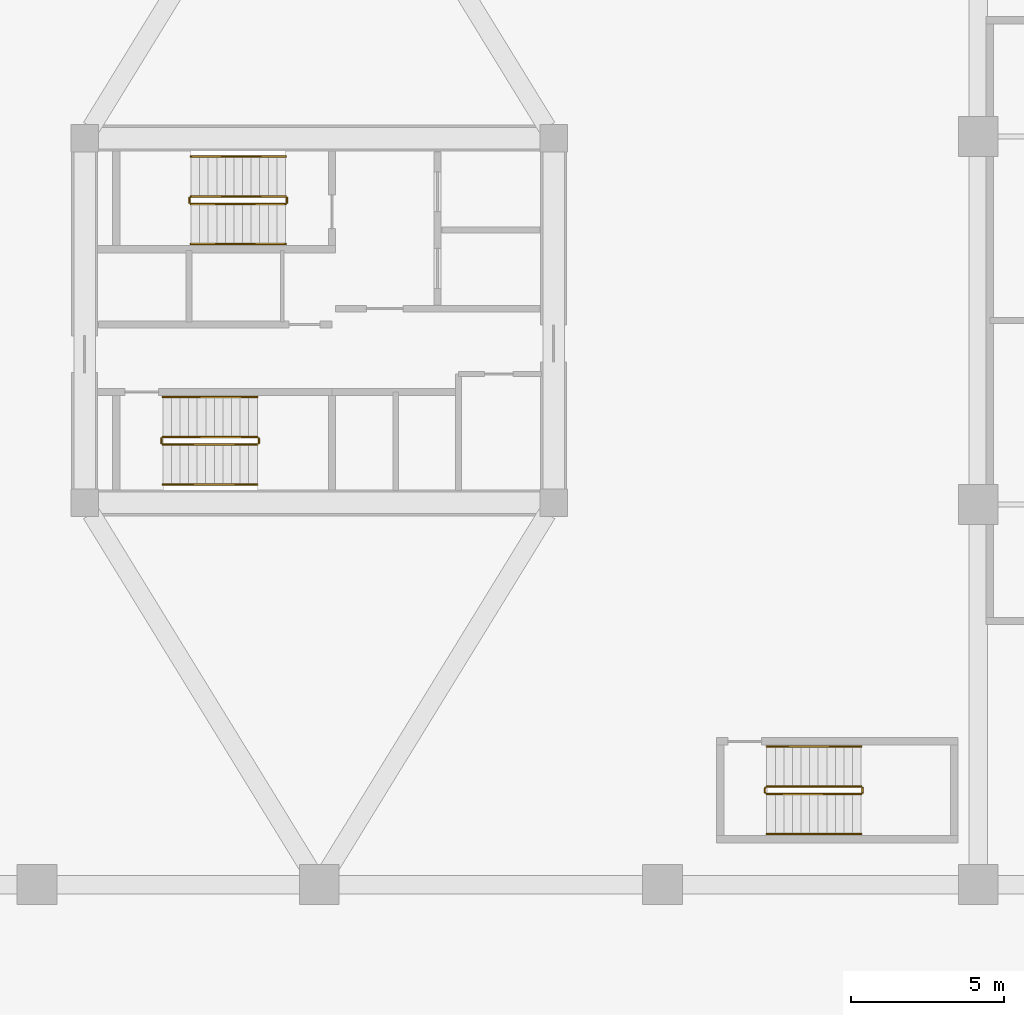
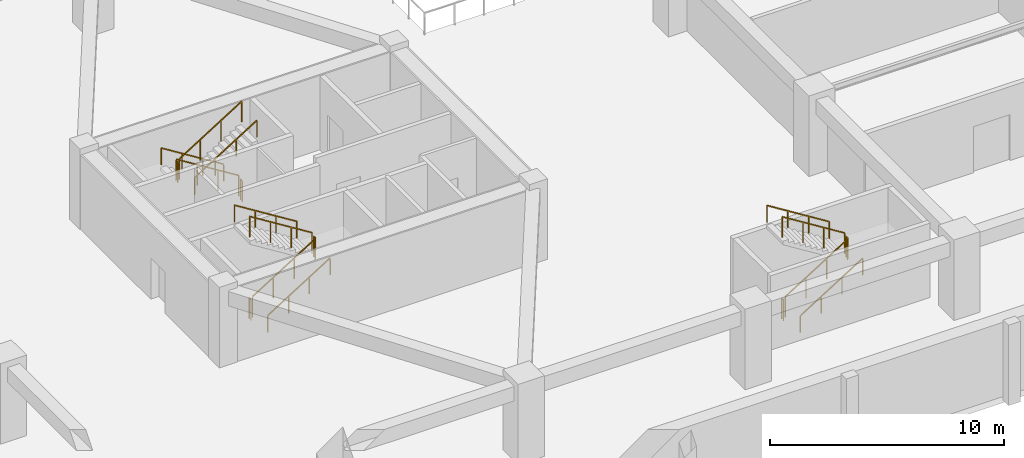
# One storey, part 9 of 14: 18 railings.
"""IFC4 building model written with IfcOpenShell, lengths in metres."""

from ifc_helpers import new_model, si_unit, direction, frame, origin, origin_2d, place, context, subcontext, project, spatial, rectangle, extrude, material, type_object, element, save


model = new_model("IFC4")

# Units and contexts
model_context = context("Model", 3, precision=1e-05, world=origin(), true_north=direction((0.0, 1.0)))
body_context = subcontext(model_context, "Body", "Model", "MODEL_VIEW")
ifc_project = project(units=[si_unit("LENGTHUNIT", "METRE"), si_unit("AREAUNIT", "SQUARE_METRE"), si_unit("VOLUMEUNIT", "CUBIC_METRE"), si_unit("PLANEANGLEUNIT", "RADIAN"), si_unit("MASSUNIT", "GRAM", prefix="KILO")], contexts=[model_context])

# Site, building, storey
site_placement = place(None, origin())
site = spatial("IfcSite", under=ifc_project, at=site_placement, CompositionType="ELEMENT")
building_placement = place(site_placement, origin())
building = spatial("IfcBuilding", under=site, at=building_placement, Name="Norrkilde Senior Care Towers", CompositionType="ELEMENT")
storey_placement = place(building_placement, frame((0.0, 0.0, -4.199951171875)))
storey = spatial("IfcBuildingStorey", under=building, at=storey_placement, Name="B1", CompositionType="ELEMENT", Elevation=-4.199951171875)

# Railings
ifc_material_1 = material(Name="Stainless Steel", Category="steel")
railing_type_1 = type_object("IfcRailingType", Name="Stair and Terrace Guardrail 1100", PredefinedType="GUARDRAIL", material=ifc_material_1)
railing_1_placement = place(storey_placement, frame((-29.10009765625, 4.050048828125, 0.175048828125)))
element("IfcRailing", 1, at=railing_1_placement, inside=storey, type_object=railing_type_1, Name="B1 ST-W1 stair guard 1", PredefinedType="GUARDRAIL", context=body_context, shape_type="SweptSolid", body=[
    extrude(rectangle(XDim=0.048095703125, YDim=0.048095703125, at=origin_2d()), frame((0.0, 0.0, 1.076171875), z_axis=(-0.848009633417, 0.0, 0.529980812513), x_axis=(0.0, -1.0, 0.0)), (0.0, 0.0, 1.0), 3.6318359375),
    extrude(rectangle(XDim=0.0419921875, YDim=0.0419921875, at=origin_2d()), origin(), (0.0, 0.0, 1.0), 1.050048828125),
    extrude(rectangle(XDim=0.0419921875, YDim=0.0419921875, at=origin_2d()), frame((-1.026611328125, 0.0, 0.6416015625)), (0.0, 0.0, 1.0), 1.050048828125),
    extrude(rectangle(XDim=0.0419921875, YDim=0.0419921875, at=origin_2d()), frame((-2.05322265625, 0.0, 1.283203125)), (0.0, 0.0, 1.0), 1.050048828125),
    extrude(rectangle(XDim=0.0419921875, YDim=0.0419921875, at=origin_2d()), frame((-3.079833984375, 0.0, 1.9248046875)), (0.0, 0.0, 1.0), 1.050048828125),
])
railing_2_placement = place(storey_placement, frame((-32.22998046875, 4.0, 2.099853515625)))
element("IfcRailing", 2, at=railing_2_placement, inside=storey, type_object=railing_type_1, Name="B1 ST-W1 stair guard 2", PredefinedType="GUARDRAIL", context=body_context, shape_type="SweptSolid", body=[
    extrude(rectangle(XDim=0.048095703125, YDim=0.048095703125, at=origin_2d()), frame((0.0, 0.0, 1.076171875), z_axis=(0.0, -1.0, 0.0), x_axis=(1.0, 0.0, 0.0)), (0.0, 0.0, 1.0), 0.14990234375),
    extrude(rectangle(XDim=0.0419921875, YDim=0.0419921875, at=origin_2d()), origin(), (0.0, 0.0, 1.0), 1.050048828125),
    extrude(rectangle(XDim=0.0419921875, YDim=0.0419921875, at=origin_2d()), frame((0.0, -0.14990234375, 0.0)), (0.0, 0.0, 1.0), 1.050048828125),
])
railing_3_placement = place(storey_placement, frame((-32.179931640625, 3.800048828125, 2.27490234375)))
element("IfcRailing", 3, at=railing_3_placement, inside=storey, type_object=railing_type_1, Name="B1 ST-W1 stair guard 3", PredefinedType="GUARDRAIL", context=body_context, shape_type="SweptSolid", body=[
    extrude(rectangle(XDim=0.048095703125, YDim=0.048095703125, at=origin_2d()), frame((0.0, 0.0, 1.076171875), z_axis=(0.847979421464, 0.0, 0.530029150871), x_axis=(0.0, 1.0, 0.0)), (0.0, 0.0, 1.0), 3.632080078125),
    extrude(rectangle(XDim=0.0419921875, YDim=0.0419921875, at=origin_2d()), origin(), (0.0, 0.0, 1.0), 1.050048828125),
    extrude(rectangle(XDim=0.0419921875, YDim=0.0419921875, at=origin_2d()), frame((1.026611328125, 0.0, 0.6416015625)), (0.0, 0.0, 1.0), 1.050048828125),
    extrude(rectangle(XDim=0.0419921875, YDim=0.0419921875, at=origin_2d()), frame((2.05322265625, 0.0, 1.283447265625)), (0.0, 0.0, 1.0), 1.050048828125),
    extrude(rectangle(XDim=0.0419921875, YDim=0.0419921875, at=origin_2d()), frame((3.079833984375, 0.0, 1.925048828125)), (0.0, 0.0, 1.0), 1.050048828125),
])
railing_4_placement = place(storey_placement, frame((-29.050048828125, 4.0, 0.0)))
element("IfcRailing", 4, at=railing_4_placement, inside=storey, type_object=railing_type_1, Name="B1 ST-W1 stair guard 4", PredefinedType="GUARDRAIL", context=body_context, shape_type="SweptSolid", body=[
    extrude(rectangle(XDim=0.048095703125, YDim=0.048095703125, at=origin_2d()), frame((0.0, 0.0, 1.076171875), z_axis=(0.0, -1.0, 0.0), x_axis=(1.0, 0.0, 0.0)), (0.0, 0.0, 1.0), 0.14990234375),
    extrude(rectangle(XDim=0.0419921875, YDim=0.0419921875, at=origin_2d()), origin(), (0.0, 0.0, 1.0), 1.050048828125),
    extrude(rectangle(XDim=0.0419921875, YDim=0.0419921875, at=origin_2d()), frame((0.0, -0.14990234375, 0.0)), (0.0, 0.0, 1.0), 1.050048828125),
])
railing_5_placement = place(storey_placement, frame((-33.10009765625, -4.050048828125, 0.175048828125)))
element("IfcRailing", 5, at=railing_5_placement, inside=storey, type_object=railing_type_1, Name="B1 ST-W2 stair guard 1", PredefinedType="GUARDRAIL", context=body_context, shape_type="SweptSolid", body=[
    extrude(rectangle(XDim=0.048095703125, YDim=0.048095703125, at=origin_2d()), frame((0.0, 0.0, 1.076171875), z_axis=(0.848028513186, 0.0, 0.529950602248), x_axis=(0.0, 1.0, 0.0)), (0.0, 0.0, 1.0), 3.632080078125),
    extrude(rectangle(XDim=0.0419921875, YDim=0.0419921875, at=origin_2d()), origin(), (0.0, 0.0, 1.0), 1.050048828125),
    extrude(rectangle(XDim=0.0419921875, YDim=0.0419921875, at=origin_2d()), frame((1.026611328125, 0.0, 0.6416015625)), (0.0, 0.0, 1.0), 1.050048828125),
    extrude(rectangle(XDim=0.0419921875, YDim=0.0419921875, at=origin_2d()), frame((2.053466796875, 0.0, 1.283203125)), (0.0, 0.0, 1.0), 1.050048828125),
    extrude(rectangle(XDim=0.0419921875, YDim=0.0419921875, at=origin_2d()), frame((3.080078125, 0.0, 1.9248046875)), (0.0, 0.0, 1.0), 1.050048828125),
])
railing_6_placement = place(storey_placement, frame((-29.969970703125, -4.0, 2.099853515625)))
element("IfcRailing", 6, at=railing_6_placement, inside=storey, type_object=railing_type_1, Name="B1 ST-W2 stair guard 2", PredefinedType="GUARDRAIL", context=body_context, shape_type="SweptSolid", body=[
    extrude(rectangle(XDim=0.048095703125, YDim=0.048095703125, at=origin_2d()), frame((0.0, 0.0, 1.076171875), z_axis=(0.0, 1.0, 0.0), x_axis=(-1.0, 0.0, 0.0)), (0.0, 0.0, 1.0), 0.14990234375),
    extrude(rectangle(XDim=0.0419921875, YDim=0.0419921875, at=origin_2d()), origin(), (0.0, 0.0, 1.0), 1.050048828125),
    extrude(rectangle(XDim=0.0419921875, YDim=0.0419921875, at=origin_2d()), frame((0.0, 0.14990234375, 0.0)), (0.0, 0.0, 1.0), 1.050048828125),
])
railing_7_placement = place(storey_placement, frame((-30.02001953125, -3.800048828125, 2.27490234375)))
element("IfcRailing", 7, at=railing_7_placement, inside=storey, type_object=railing_type_1, Name="B1 ST-W2 stair guard 3", PredefinedType="GUARDRAIL", context=body_context, shape_type="SweptSolid", body=[
    extrude(rectangle(XDim=0.048095703125, YDim=0.048095703125, at=origin_2d()), frame((0.0, 0.0, 1.076171875), z_axis=(-0.847998304005, 0.0, 0.529998940003), x_axis=(0.0, -1.0, 0.0)), (0.0, 0.0, 1.0), 3.632080078125),
    extrude(rectangle(XDim=0.0419921875, YDim=0.0419921875, at=origin_2d()), origin(), (0.0, 0.0, 1.0), 1.050048828125),
    extrude(rectangle(XDim=0.0419921875, YDim=0.0419921875, at=origin_2d()), frame((-1.026611328125, 0.0, 0.6416015625)), (0.0, 0.0, 1.0), 1.050048828125),
    extrude(rectangle(XDim=0.0419921875, YDim=0.0419921875, at=origin_2d()), frame((-2.053466796875, 0.0, 1.283447265625)), (0.0, 0.0, 1.0), 1.050048828125),
    extrude(rectangle(XDim=0.0419921875, YDim=0.0419921875, at=origin_2d()), frame((-3.080078125, 0.0, 1.925048828125)), (0.0, 0.0, 1.0), 1.050048828125),
])
railing_8_placement = place(storey_placement, frame((-33.14990234375, -4.0, 0.0)))
element("IfcRailing", 8, at=railing_8_placement, inside=storey, type_object=railing_type_1, Name="B1 ST-W2 stair guard 4", PredefinedType="GUARDRAIL", context=body_context, shape_type="SweptSolid", body=[
    extrude(rectangle(XDim=0.048095703125, YDim=0.048095703125, at=origin_2d()), frame((0.0, 0.0, 1.076171875), z_axis=(0.0, 1.0, 0.0), x_axis=(-1.0, 0.0, 0.0)), (0.0, 0.0, 1.0), 0.14990234375),
    extrude(rectangle(XDim=0.0419921875, YDim=0.0419921875, at=origin_2d()), origin(), (0.0, 0.0, 1.0), 1.050048828125),
    extrude(rectangle(XDim=0.0419921875, YDim=0.0419921875, at=origin_2d()), frame((0.0, 0.14990234375, 0.0)), (0.0, 0.0, 1.0), 1.050048828125),
])
railing_9_placement = place(storey_placement, frame((-13.39990234375, -15.449951171875, 0.175048828125)))
element("IfcRailing", 9, at=railing_9_placement, inside=storey, type_object=railing_type_1, Name="B1 ST-P1 stair guard 1", PredefinedType="GUARDRAIL", context=body_context, shape_type="SweptSolid", body=[
    extrude(rectangle(XDim=0.048095703125, YDim=0.048095703125, at=origin_2d()), frame((0.0, 0.0, 1.076171875), z_axis=(0.848009633417, 0.0, 0.529980812513), x_axis=(0.0, 1.0, 0.0)), (0.0, 0.0, 1.0), 3.6318359375),
    extrude(rectangle(XDim=0.0419921875, YDim=0.0419921875, at=origin_2d()), origin(), (0.0, 0.0, 1.0), 1.050048828125),
    extrude(rectangle(XDim=0.0419921875, YDim=0.0419921875, at=origin_2d()), frame((1.026611328125, 0.0, 0.6416015625)), (0.0, 0.0, 1.0), 1.050048828125),
    extrude(rectangle(XDim=0.0419921875, YDim=0.0419921875, at=origin_2d()), frame((2.05322265625, 0.0, 1.283203125)), (0.0, 0.0, 1.0), 1.050048828125),
    extrude(rectangle(XDim=0.0419921875, YDim=0.0419921875, at=origin_2d()), frame((3.079833984375, 0.0, 1.9248046875)), (0.0, 0.0, 1.0), 1.050048828125),
])
railing_10_placement = place(storey_placement, frame((-10.27001953125, -15.39990234375, 2.099853515625)))
element("IfcRailing", 10, at=railing_10_placement, inside=storey, type_object=railing_type_1, Name="B1 ST-P1 stair guard 2", PredefinedType="GUARDRAIL", context=body_context, shape_type="SweptSolid", body=[
    extrude(rectangle(XDim=0.048095703125, YDim=0.048095703125, at=origin_2d()), frame((0.0, 0.0, 1.076171875), z_axis=(0.0, 1.0, 0.0), x_axis=(-1.0, 0.0, 0.0)), (0.0, 0.0, 1.0), 0.14990234375),
    extrude(rectangle(XDim=0.0419921875, YDim=0.0419921875, at=origin_2d()), origin(), (0.0, 0.0, 1.0), 1.050048828125),
    extrude(rectangle(XDim=0.0419921875, YDim=0.0419921875, at=origin_2d()), frame((0.0, 0.14990234375, 0.0)), (0.0, 0.0, 1.0), 1.050048828125),
])
railing_11_placement = place(storey_placement, frame((-10.320068359375, -15.199951171875, 2.27490234375)))
element("IfcRailing", 11, at=railing_11_placement, inside=storey, type_object=railing_type_1, Name="B1 ST-P1 stair guard 3", PredefinedType="GUARDRAIL", context=body_context, shape_type="SweptSolid", body=[
    extrude(rectangle(XDim=0.048095703125, YDim=0.048095703125, at=origin_2d()), frame((0.0, 0.0, 1.076171875), z_axis=(-0.847979421464, 0.0, 0.530029150871), x_axis=(0.0, -1.0, 0.0)), (0.0, 0.0, 1.0), 3.632080078125),
    extrude(rectangle(XDim=0.0419921875, YDim=0.0419921875, at=origin_2d()), origin(), (0.0, 0.0, 1.0), 1.050048828125),
    extrude(rectangle(XDim=0.0419921875, YDim=0.0419921875, at=origin_2d()), frame((-1.026611328125, 0.0, 0.6416015625)), (0.0, 0.0, 1.0), 1.050048828125),
    extrude(rectangle(XDim=0.0419921875, YDim=0.0419921875, at=origin_2d()), frame((-2.05322265625, 0.0, 1.283447265625)), (0.0, 0.0, 1.0), 1.050048828125),
    extrude(rectangle(XDim=0.0419921875, YDim=0.0419921875, at=origin_2d()), frame((-3.079833984375, 0.0, 1.925048828125)), (0.0, 0.0, 1.0), 1.050048828125),
])
railing_12_placement = place(storey_placement, frame((-13.449951171875, -15.39990234375, 0.0)))
element("IfcRailing", 12, at=railing_12_placement, inside=storey, type_object=railing_type_1, Name="B1 ST-P1 stair guard 4", PredefinedType="GUARDRAIL", context=body_context, shape_type="SweptSolid", body=[
    extrude(rectangle(XDim=0.048095703125, YDim=0.048095703125, at=origin_2d()), frame((0.0, 0.0, 1.076171875), z_axis=(0.0, 1.0, 0.0), x_axis=(-1.0, 0.0, 0.0)), (0.0, 0.0, 1.0), 0.14990234375),
    extrude(rectangle(XDim=0.0419921875, YDim=0.0419921875, at=origin_2d()), origin(), (0.0, 0.0, 1.0), 1.050048828125),
    extrude(rectangle(XDim=0.0419921875, YDim=0.0419921875, at=origin_2d()), frame((0.0, 0.14990234375, 0.0)), (0.0, 0.0, 1.0), 1.050048828125),
])
ifc_material_2 = material(Name="Nordic Ash Timber", Category="wood")
railing_type_2 = type_object("IfcRailingType", Name="Wall and Stair Handrail 900", PredefinedType="HANDRAIL", material=ifc_material_2)
railing_13_placement = place(storey_placement, frame((-29.10009765625, 5.35009765625, 0.175048828125)))
element("IfcRailing", 13, at=railing_13_placement, inside=storey, type_object=railing_type_2, Name="B1 ST-W1 stair handrail 1", PredefinedType="HANDRAIL", context=body_context, shape_type="SweptSolid", body=[
    extrude(rectangle(XDim=0.048095703125, YDim=0.048095703125, at=origin_2d()), frame((0.0, 0.0, 0.8759765625), z_axis=(-0.848009633417, 0.0, 0.529980812513), x_axis=(0.0, -1.0, 0.0)), (0.0, 0.0, 1.0), 3.6318359375),
    extrude(rectangle(XDim=0.0419921875, YDim=0.0419921875, at=origin_2d()), origin(), (0.0, 0.0, 1.0), 0.849853515625),
    extrude(rectangle(XDim=0.0419921875, YDim=0.0419921875, at=origin_2d()), frame((-1.026611328125, 0.0, 0.6416015625)), (0.0, 0.0, 1.0), 0.849853515625),
    extrude(rectangle(XDim=0.0419921875, YDim=0.0419921875, at=origin_2d()), frame((-2.05322265625, 0.0, 1.283203125)), (0.0, 0.0, 1.0), 0.849853515625),
    extrude(rectangle(XDim=0.0419921875, YDim=0.0419921875, at=origin_2d()), frame((-3.079833984375, 0.0, 1.9248046875)), (0.0, 0.0, 1.0), 0.849853515625),
])
railing_14_placement = place(storey_placement, frame((-32.179931640625, 2.5, 2.27490234375)))
element("IfcRailing", 14, at=railing_14_placement, inside=storey, type_object=railing_type_2, Name="B1 ST-W1 stair handrail 2", PredefinedType="HANDRAIL", context=body_context, shape_type="SweptSolid", body=[
    extrude(rectangle(XDim=0.048095703125, YDim=0.048095703125, at=origin_2d()), frame((0.0, 0.0, 0.8759765625), z_axis=(0.847979421464, 0.0, 0.530029150871), x_axis=(0.0, 1.0, 0.0)), (0.0, 0.0, 1.0), 3.632080078125),
    extrude(rectangle(XDim=0.0419921875, YDim=0.0419921875, at=origin_2d()), origin(), (0.0, 0.0, 1.0), 0.849853515625),
    extrude(rectangle(XDim=0.0419921875, YDim=0.0419921875, at=origin_2d()), frame((1.026611328125, 0.0, 0.6416015625)), (0.0, 0.0, 1.0), 0.849853515625),
    extrude(rectangle(XDim=0.0419921875, YDim=0.0419921875, at=origin_2d()), frame((2.05322265625, 0.0, 1.283447265625)), (0.0, 0.0, 1.0), 0.849853515625),
    extrude(rectangle(XDim=0.0419921875, YDim=0.0419921875, at=origin_2d()), frame((3.079833984375, 0.0, 1.925048828125)), (0.0, 0.0, 1.0), 0.849853515625),
])
railing_15_placement = place(storey_placement, frame((-33.10009765625, -5.35009765625, 0.175048828125)))
element("IfcRailing", 15, at=railing_15_placement, inside=storey, type_object=railing_type_2, Name="B1 ST-W2 stair handrail 1", PredefinedType="HANDRAIL", context=body_context, shape_type="SweptSolid", body=[
    extrude(rectangle(XDim=0.048095703125, YDim=0.048095703125, at=origin_2d()), frame((0.0, 0.0, 0.8759765625), z_axis=(0.848028513186, 0.0, 0.529950602248), x_axis=(0.0, 1.0, 0.0)), (0.0, 0.0, 1.0), 3.632080078125),
    extrude(rectangle(XDim=0.0419921875, YDim=0.0419921875, at=origin_2d()), origin(), (0.0, 0.0, 1.0), 0.849853515625),
    extrude(rectangle(XDim=0.0419921875, YDim=0.0419921875, at=origin_2d()), frame((1.026611328125, 0.0, 0.6416015625)), (0.0, 0.0, 1.0), 0.849853515625),
    extrude(rectangle(XDim=0.0419921875, YDim=0.0419921875, at=origin_2d()), frame((2.053466796875, 0.0, 1.283203125)), (0.0, 0.0, 1.0), 0.849853515625),
    extrude(rectangle(XDim=0.0419921875, YDim=0.0419921875, at=origin_2d()), frame((3.080078125, 0.0, 1.9248046875)), (0.0, 0.0, 1.0), 0.849853515625),
])
railing_16_placement = place(storey_placement, frame((-30.02001953125, -2.5, 2.27490234375)))
element("IfcRailing", 16, at=railing_16_placement, inside=storey, type_object=railing_type_2, Name="B1 ST-W2 stair handrail 2", PredefinedType="HANDRAIL", context=body_context, shape_type="SweptSolid", body=[
    extrude(rectangle(XDim=0.048095703125, YDim=0.048095703125, at=origin_2d()), frame((0.0, 0.0, 0.8759765625), z_axis=(-0.847998304005, 0.0, 0.529998940003), x_axis=(0.0, -1.0, 0.0)), (0.0, 0.0, 1.0), 3.632080078125),
    extrude(rectangle(XDim=0.0419921875, YDim=0.0419921875, at=origin_2d()), origin(), (0.0, 0.0, 1.0), 0.849853515625),
    extrude(rectangle(XDim=0.0419921875, YDim=0.0419921875, at=origin_2d()), frame((-1.026611328125, 0.0, 0.6416015625)), (0.0, 0.0, 1.0), 0.849853515625),
    extrude(rectangle(XDim=0.0419921875, YDim=0.0419921875, at=origin_2d()), frame((-2.053466796875, 0.0, 1.283447265625)), (0.0, 0.0, 1.0), 0.849853515625),
    extrude(rectangle(XDim=0.0419921875, YDim=0.0419921875, at=origin_2d()), frame((-3.080078125, 0.0, 1.925048828125)), (0.0, 0.0, 1.0), 0.849853515625),
])
railing_17_placement = place(storey_placement, frame((-13.39990234375, -16.75, 0.175048828125)))
element("IfcRailing", 17, at=railing_17_placement, inside=storey, type_object=railing_type_2, Name="B1 ST-P1 stair handrail 1", PredefinedType="HANDRAIL", context=body_context, shape_type="SweptSolid", body=[
    extrude(rectangle(XDim=0.048095703125, YDim=0.048095703125, at=origin_2d()), frame((0.0, 0.0, 0.8759765625), z_axis=(0.848009633417, 0.0, 0.529980812513), x_axis=(0.0, 1.0, 0.0)), (0.0, 0.0, 1.0), 3.6318359375),
    extrude(rectangle(XDim=0.0419921875, YDim=0.0419921875, at=origin_2d()), origin(), (0.0, 0.0, 1.0), 0.849853515625),
    extrude(rectangle(XDim=0.0419921875, YDim=0.0419921875, at=origin_2d()), frame((1.026611328125, 0.0, 0.6416015625)), (0.0, 0.0, 1.0), 0.849853515625),
    extrude(rectangle(XDim=0.0419921875, YDim=0.0419921875, at=origin_2d()), frame((2.05322265625, 0.0, 1.283203125)), (0.0, 0.0, 1.0), 0.849853515625),
    extrude(rectangle(XDim=0.0419921875, YDim=0.0419921875, at=origin_2d()), frame((3.079833984375, 0.0, 1.9248046875)), (0.0, 0.0, 1.0), 0.849853515625),
])
railing_18_placement = place(storey_placement, frame((-10.320068359375, -13.89990234375, 2.27490234375)))
element("IfcRailing", 18, at=railing_18_placement, inside=storey, type_object=railing_type_2, Name="B1 ST-P1 stair handrail 2", PredefinedType="HANDRAIL", context=body_context, shape_type="SweptSolid", body=[
    extrude(rectangle(XDim=0.048095703125, YDim=0.048095703125, at=origin_2d()), frame((0.0, 0.0, 0.8759765625), z_axis=(-0.847979421464, 0.0, 0.530029150871), x_axis=(0.0, -1.0, 0.0)), (0.0, 0.0, 1.0), 3.632080078125),
    extrude(rectangle(XDim=0.0419921875, YDim=0.0419921875, at=origin_2d()), origin(), (0.0, 0.0, 1.0), 0.849853515625),
    extrude(rectangle(XDim=0.0419921875, YDim=0.0419921875, at=origin_2d()), frame((-1.026611328125, 0.0, 0.6416015625)), (0.0, 0.0, 1.0), 0.849853515625),
    extrude(rectangle(XDim=0.0419921875, YDim=0.0419921875, at=origin_2d()), frame((-2.05322265625, 0.0, 1.283447265625)), (0.0, 0.0, 1.0), 0.849853515625),
    extrude(rectangle(XDim=0.0419921875, YDim=0.0419921875, at=origin_2d()), frame((-3.079833984375, 0.0, 1.925048828125)), (0.0, 0.0, 1.0), 0.849853515625),
])

save(model, "model.ifc")
